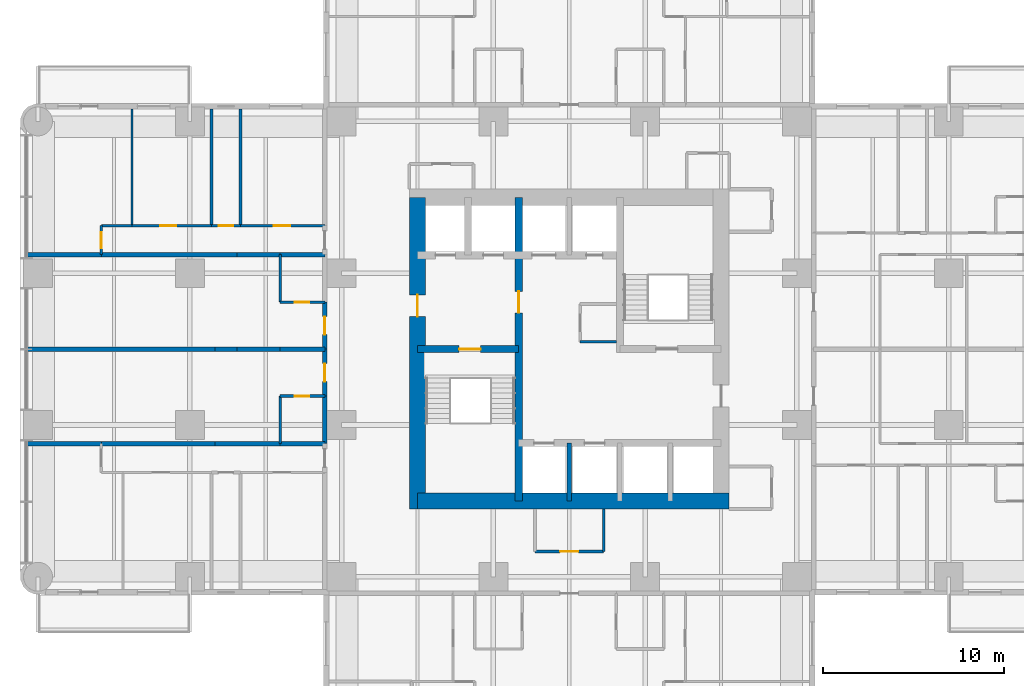
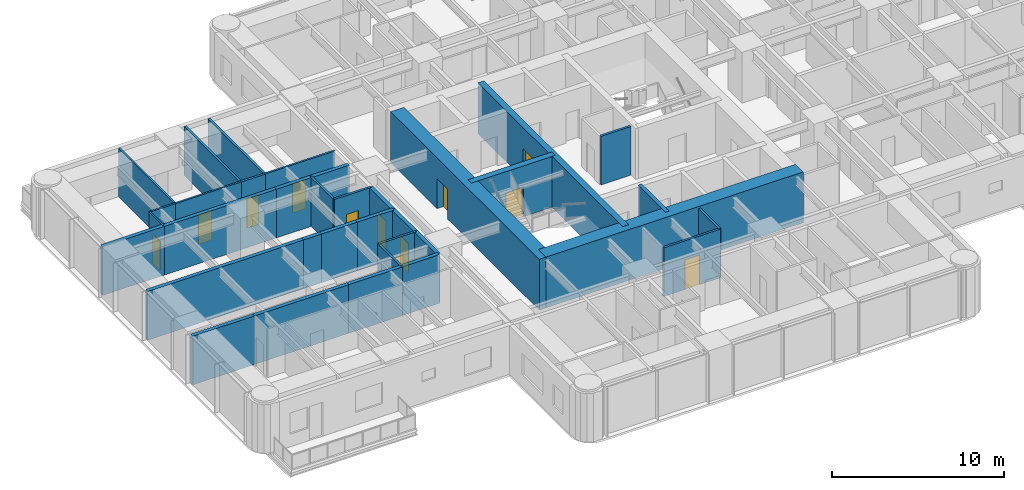
# One storey, part 7 of 14: 35 walls, 12 doors, 12 openings.
"""IFC4 building model written with IfcOpenShell, lengths in metres."""

from ifc_helpers import new_model, si_unit, direction, frame, frame_2d, origin, place, context, subcontext, project, spatial, rectangle, extrude, material, layer, layer_set, type_object, element, fill, save


model = new_model("IFC4")

# Units and contexts
model_context = context("Model", 3, precision=1e-05, world=origin(), true_north=direction((0.0, 1.0)))
body_context = subcontext(model_context, "Body", "Model", "MODEL_VIEW")
ifc_project = project(units=[si_unit("LENGTHUNIT", "METRE"), si_unit("AREAUNIT", "SQUARE_METRE"), si_unit("VOLUMEUNIT", "CUBIC_METRE"), si_unit("PLANEANGLEUNIT", "RADIAN"), si_unit("MASSUNIT", "GRAM", prefix="KILO")], contexts=[model_context])

# Site, building, storey
site_placement = place(None, origin())
site = spatial("IfcSite", under=ifc_project, at=site_placement, CompositionType="ELEMENT")
building_placement = place(site_placement, origin())
building = spatial("IfcBuilding", under=site, at=building_placement, Name="Torre Alcanfor", CompositionType="ELEMENT")
storey_placement = place(building_placement, frame((0.0, 0.0, 137.699951171875)))
storey = spatial("IfcBuildingStorey", under=building, at=storey_placement, Name="L35", CompositionType="ELEMENT", Elevation=137.699951171875)

# Wall, opening, door
ifc_material_1 = material(Name="Concrete block masonry, hollow blocks NMX-C-404 9 MPa", Category="masonry")
ifc_layer_1 = layer(ifc_material_1, 0.25)
ifc_layer_set_1 = layer_set([ifc_layer_1], Name="Apartment entrance wall 250 EI 60")
wall_type_1 = type_object("IfcWallType", Name="Apartment entrance wall 250 EI 60", PredefinedType="PARTITIONING", material=ifc_layer_set_1)
wall_1_placement = place(storey_placement, frame((15.875, 26.800048828125, 0.0), z_axis=(0.0, 0.0, 1.0), x_axis=(0.0, 1.0, 0.0)))
wall_1 = element("IfcWall", 1, at=wall_1_placement, inside=storey, type_object=wall_type_1, Name="Partition L35-CORR / L35-W1A-FOYER", PredefinedType="PARTITIONING", context=body_context, shape_type="SweptSolid", body=[
    extrude(rectangle(XDim=2.599853515625, YDim=0.25, at=frame_2d((1.2998046875, 0.0))), origin(), (0.0, 0.0, 1.0), 3.449951171875),
])
opening_1_placement = place(wall_1_placement, frame((0.800048828125, 0.0, 0.0)))
opening_1 = element("IfcOpeningElement", 2, at=opening_1_placement, cuts=wall_1, Name="Opening D-A1", PredefinedType="OPENING", context=body_context, shape_type="SweptSolid", body=[
    extrude(rectangle(XDim=1.0, YDim=2.10009765625, at=frame_2d((0.5, 1.050048828125))), frame((0.0, 0.135009765625, 0.0), z_axis=(0.0, -1.0, 0.0), x_axis=(1.0, 0.0, 0.0)), (0.0, 0.0, 1.0), 0.27001953125),
])
ifc_material_2 = material(Name="Galvanised steel sheet ASTM A653", Category="steel")
door_type_1 = type_object("IfcDoorType", Name="Apartment entrance door FD60 1000x2100", OperationType="SINGLE_SWING_LEFT", PredefinedType="DOOR", material=ifc_material_2)
door_1_placement = place(opening_1_placement, origin())
door_1 = element("IfcDoor", 3, at=door_1_placement, inside=storey, type_object=door_type_1, Name="Apartment entrance L35-W1A", OperationType="SINGLE_SWING_LEFT", OverallHeight=2.10009765625, OverallWidth=1.0, PredefinedType="DOOR", context=body_context, shape_type="SweptSolid", body=[
    extrude(rectangle(XDim=1.0, YDim=2.10009765625, at=frame_2d((0.5, 1.050048828125))), frame((0.0, 0.02490234375, 0.0), z_axis=(0.0, -1.0, 0.0), x_axis=(1.0, 0.0, 0.0)), (0.0, 0.0, 1.0), 0.050048828125),
])
fill(opening_1, door_1)

# Wall
wall_2_placement = place(storey_placement, frame((15.875, 24.1708984375, 0.0), z_axis=(0.0, 0.0, 1.0), x_axis=(0.0, 1.0, 0.0)))
element("IfcWall", 4, at=wall_2_placement, inside=storey, type_object=wall_type_1, Name="Partition L35-CORR / L35-W1A-BATH", PredefinedType="PARTITIONING", context=body_context, shape_type="SweptSolid", body=[
    extrude(rectangle(XDim=2.629150390625, YDim=0.25, at=frame_2d((1.314453125, 0.0))), origin(), (0.0, 0.0, 1.0), 3.449951171875),
])

# Wall, opening, door
wall_3_placement = place(storey_placement, frame((15.875, 29.39990234375, 0.0), z_axis=(0.0, 0.0, 1.0), x_axis=(0.0, 1.0, 0.0)))
wall_3 = element("IfcWall", 5, at=wall_3_placement, inside=storey, type_object=wall_type_1, Name="Partition L35-CORR / L35-W2A-FOYER", PredefinedType="PARTITIONING", context=body_context, shape_type="SweptSolid", body=[
    extrude(rectangle(XDim=2.60009765625, YDim=0.25, at=frame_2d((1.300048828125, 0.0))), origin(), (0.0, 0.0, 1.0), 3.449951171875),
])
opening_2_placement = place(wall_3_placement, frame((0.800048828125, 0.0, 0.0)))
opening_2 = element("IfcOpeningElement", 6, at=opening_2_placement, cuts=wall_3, Name="Opening D-A1", PredefinedType="OPENING", context=body_context, shape_type="SweptSolid", body=[
    extrude(rectangle(XDim=1.0, YDim=2.10009765625, at=frame_2d((0.5, 1.050048828125))), frame((0.0, 0.135009765625, 0.0), z_axis=(0.0, -1.0, 0.0), x_axis=(1.0, 0.0, 0.0)), (0.0, 0.0, 1.0), 0.27001953125),
])
door_2_placement = place(opening_2_placement, origin())
door_2 = element("IfcDoor", 7, at=door_2_placement, inside=storey, type_object=door_type_1, Name="Apartment entrance L35-W2A", OperationType="SINGLE_SWING_LEFT", OverallHeight=2.10009765625, OverallWidth=1.0, PredefinedType="DOOR", context=body_context, shape_type="SweptSolid", body=[
    extrude(rectangle(XDim=1.0, YDim=2.10009765625, at=frame_2d((0.5, 1.050048828125))), frame((0.0, 0.02490234375, 0.0), z_axis=(0.0, -1.0, 0.0), x_axis=(1.0, 0.0, 0.0)), (0.0, 0.0, 1.0), 0.050048828125),
])
fill(opening_2, door_2)

ifc_material_3 = material(Name="Gypsum board on steel studs", Category="steel")
ifc_layer_2 = layer(ifc_material_3, 0.1201171875)
ifc_layer_set_2 = layer_set([ifc_layer_2], Name="Apartment partition 120")
wall_type_2 = type_object("IfcWallType", Name="Apartment partition 120", PredefinedType="PARTITIONING", material=ifc_layer_set_2)
wall_4_placement = place(storey_placement, frame((11.199951171875, 36.22900390625, 0.0), z_axis=(0.0, 0.0, 1.0), x_axis=(1.0, 0.0, 0.0)))
wall_4 = element("IfcWall", 8, at=wall_4_placement, inside=storey, type_object=wall_type_2, Name="Partition L35-W2B-HALL / L35-W2B-MASTER", PredefinedType="PARTITIONING", context=body_context, shape_type="SweptSolid", body=[
    extrude(rectangle(XDim=4.675048828125, YDim=0.1201171875, at=frame_2d((2.33740234375, 0.0))), origin(), (0.0, 0.0, 1.0), 3.449951171875),
])
opening_3_placement = place(wall_4_placement, frame((1.85009765625, 0.0, 0.0)))
opening_3 = element("IfcOpeningElement", 9, at=opening_3_placement, cuts=wall_4, Name="Opening D-R1", PredefinedType="OPENING", context=body_context, shape_type="SweptSolid", body=[
    extrude(rectangle(XDim=0.89990234375, YDim=2.10009765625, at=frame_2d((0.449951171875, 1.050048828125))), frame((0.0, 0.070068359375, 0.0), z_axis=(0.0, -1.0, 0.0), x_axis=(1.0, 0.0, 0.0)), (0.0, 0.0, 1.0), 0.14013671875),
])
ifc_material_4 = material(Name="Timber", Category="wood")
door_type_2 = type_object("IfcDoorType", Name="Internal door 900x2100", OperationType="SINGLE_SWING_LEFT", PredefinedType="DOOR", material=ifc_material_4)
door_3_placement = place(opening_3_placement, origin())
door_3 = element("IfcDoor", 10, at=door_3_placement, inside=storey, type_object=door_type_2, Name="Door L35-W2B master", OperationType="SINGLE_SWING_LEFT", OverallHeight=2.10009765625, OverallWidth=0.89990234375, PredefinedType="DOOR", context=body_context, shape_type="SweptSolid", body=[
    extrude(rectangle(XDim=0.89990234375, YDim=2.10009765625, at=frame_2d((0.449951171875, 1.050048828125))), frame((0.0, 0.02490234375, 0.0), z_axis=(0.0, -1.0, 0.0), x_axis=(1.0, 0.0, 0.0)), (0.0, 0.0, 1.0), 0.050048828125),
])
fill(opening_3, door_3)

wall_5_placement = place(storey_placement, frame((5.199951171875, 36.22900390625, 0.0), z_axis=(0.0, 0.0, 1.0), x_axis=(1.0, 0.0, 0.0)))
wall_5 = element("IfcWall", 11, at=wall_5_placement, inside=storey, type_object=wall_type_2, Name="Partition L35-W2B-HALL / L35-W2B-STUDY", PredefinedType="PARTITIONING", context=body_context, shape_type="SweptSolid", body=[
    extrude(rectangle(XDim=4.400146484375, YDim=0.1201171875, at=frame_2d((2.2001953125, 0.0))), origin(), (0.0, 0.0, 1.0), 3.449951171875),
])
opening_4_placement = place(wall_5_placement, frame((1.550048828125, 0.0, 0.0)))
opening_4 = element("IfcOpeningElement", 12, at=opening_4_placement, cuts=wall_5, Name="Opening D-R1", PredefinedType="OPENING", context=body_context, shape_type="SweptSolid", body=[
    extrude(rectangle(XDim=0.89990234375, YDim=2.10009765625, at=frame_2d((0.449951171875, 1.050048828125))), frame((0.0, 0.070068359375, 0.0), z_axis=(0.0, -1.0, 0.0), x_axis=(1.0, 0.0, 0.0)), (0.0, 0.0, 1.0), 0.14013671875),
])
door_4_placement = place(opening_4_placement, origin())
door_4 = element("IfcDoor", 13, at=door_4_placement, inside=storey, type_object=door_type_2, Name="Door L35-W2B study", OperationType="SINGLE_SWING_LEFT", OverallHeight=2.10009765625, OverallWidth=0.89990234375, PredefinedType="DOOR", context=body_context, shape_type="SweptSolid", body=[
    extrude(rectangle(XDim=0.89990234375, YDim=2.10009765625, at=frame_2d((0.449951171875, 1.050048828125))), frame((0.0, 0.02490234375, 0.0), z_axis=(0.0, -1.0, 0.0), x_axis=(1.0, 0.0, 0.0)), (0.0, 0.0, 1.0), 0.050048828125),
])
fill(opening_4, door_4)

# Wall
wall_6_placement = place(storey_placement, frame((3.5, 36.22900390625, 0.0), z_axis=(0.0, 0.0, 1.0), x_axis=(1.0, 0.0, 0.0)))
element("IfcWall", 14, at=wall_6_placement, inside=storey, type_object=wall_type_2, Name="Partition L35-W2B-HALL / L35-W2B-KITCHEN", PredefinedType="PARTITIONING", context=body_context, shape_type="SweptSolid", body=[
    extrude(rectangle(XDim=1.699951171875, YDim=0.1201171875, at=frame_2d((0.85009765625, 0.0))), origin(), (0.0, 0.0, 1.0), 3.449951171875),
])

# Wall, opening, door
wall_7_placement = place(storey_placement, frame((3.5, 34.62890625, 0.0), z_axis=(0.0, 0.0, 1.0), x_axis=(0.0, 1.0, 0.0)))
wall_7 = element("IfcWall", 15, at=wall_7_placement, inside=storey, type_object=wall_type_2, Name="Partition L35-W2B-HALL / L35-W2B-LIVING", PredefinedType="PARTITIONING", context=body_context, shape_type="SweptSolid", body=[
    extrude(rectangle(XDim=1.60009765625, YDim=0.1201171875, at=frame_2d((0.800048828125, 0.0))), origin(), (0.0, 0.0, 1.0), 3.449951171875),
])
opening_5_placement = place(wall_7_placement, frame((0.35009765625, 0.0, 0.0)))
opening_5 = element("IfcOpeningElement", 16, at=opening_5_placement, cuts=wall_7, Name="Opening D-R1", PredefinedType="OPENING", context=body_context, shape_type="SweptSolid", body=[
    extrude(rectangle(XDim=0.89990234375, YDim=2.10009765625, at=frame_2d((0.449951171875, 1.050048828125))), frame((0.0, 0.070068359375, 0.0), z_axis=(0.0, -1.0, 0.0), x_axis=(1.0, 0.0, 0.0)), (0.0, 0.0, 1.0), 0.14013671875),
])
door_5_placement = place(opening_5_placement, origin())
door_5 = element("IfcDoor", 17, at=door_5_placement, inside=storey, type_object=door_type_2, Name="Door L35-W2B living", OperationType="SINGLE_SWING_LEFT", OverallHeight=2.10009765625, OverallWidth=0.89990234375, PredefinedType="DOOR", context=body_context, shape_type="SweptSolid", body=[
    extrude(rectangle(XDim=0.89990234375, YDim=2.10009765625, at=frame_2d((0.449951171875, 1.050048828125))), frame((0.0, 0.02490234375, 0.0), z_axis=(0.0, -1.0, 0.0), x_axis=(1.0, 0.0, 0.0)), (0.0, 0.0, 1.0), 0.050048828125),
])
fill(opening_5, door_5)

# Wall
wall_8_placement = place(storey_placement, frame((5.199951171875, 36.22900390625, 0.0), z_axis=(0.0, 0.0, 1.0), x_axis=(0.0, 1.0, 0.0)))
element("IfcWall", 18, at=wall_8_placement, inside=storey, type_object=wall_type_2, Name="Partition L35-W2B-STUDY / L35-W2B-KITCHEN", PredefinedType="PARTITIONING", context=body_context, shape_type="SweptSolid", body=[
    extrude(rectangle(XDim=6.470947265625, YDim=0.1201171875, at=frame_2d((3.2353515625, 0.0))), origin(), (0.0, 0.0, 1.0), 3.449951171875),
])

# Wall, opening, door
ifc_material_5 = material(Name="Concrete f'c 70 MPa", Category="concrete")
ifc_layer_3 = layer(ifc_material_5, 0.39990234375)
ifc_layer_set_3 = layer_set([ifc_layer_3], Name="Core inner wall 400 f'c70")
wall_type_3 = type_object("IfcWallType", Name="Core inner wall 400 f'c70", PredefinedType="SHEAR", material=ifc_layer_set_3)
wall_9_placement = place(storey_placement, frame((26.60009765625, 21.0, 0.0), z_axis=(0.0, 0.0, 1.0), x_axis=(0.0, 1.0, 0.0)))
wall_9 = element("IfcWall", 19, at=wall_9_placement, inside=storey, type_object=wall_type_3, Name="Core wall X266 L35", PredefinedType="SHEAR", context=body_context, shape_type="SweptSolid", body=[
    extrude(rectangle(XDim=16.800048828125, YDim=0.39990234375, at=frame_2d((8.39990234375, 0.0))), origin(), (0.0, 0.0, 1.0), 3.60009765625),
])
opening_6_placement = place(wall_9_placement, frame((10.39990234375, 0.0, 0.0)))
opening_6 = element("IfcOpeningElement", 20, at=opening_6_placement, cuts=wall_9, Name="Opening D-L1", PredefinedType="OPENING", context=body_context, shape_type="SweptSolid", body=[
    extrude(rectangle(XDim=1.199951171875, YDim=2.10009765625, at=frame_2d((0.60009765625, 1.050048828125))), frame((0.0, 0.2099609375, 0.0), z_axis=(0.0, -1.0, 0.0), x_axis=(1.0, 0.0, 0.0)), (0.0, 0.0, 1.0), 0.419921875),
])
ifc_material_6 = material(Name="Galvanised steel sheet ASTM A653", Category="steel")
door_type_3 = type_object("IfcDoorType", Name="Lobby door FD120 1200x2100", OperationType="SINGLE_SWING_LEFT", PredefinedType="DOOR", material=ifc_material_6)
door_6_placement = place(opening_6_placement, origin())
door_6 = element("IfcDoor", 21, at=door_6_placement, inside=storey, type_object=door_type_3, Name="Lift lobby door L35", OperationType="SINGLE_SWING_LEFT", OverallHeight=2.10009765625, OverallWidth=1.199951171875, PredefinedType="DOOR", context=body_context, shape_type="SweptSolid", body=[
    extrude(rectangle(XDim=1.199951171875, YDim=2.10009765625, at=frame_2d((0.60009765625, 1.050048828125))), frame((0.0, 0.02490234375, 0.0), z_axis=(0.0, -1.0, 0.0), x_axis=(1.0, 0.0, 0.0)), (0.0, 0.0, 1.0), 0.050048828125),
])
fill(opening_6, door_6)

wall_10_placement = place(storey_placement, frame((21.0, 29.39990234375, 0.0), z_axis=(0.0, 0.0, 1.0), x_axis=(1.0, 0.0, 0.0)))
wall_10 = element("IfcWall", 22, at=wall_10_placement, inside=storey, type_object=wall_type_3, Name="Core wall Y294W L35", PredefinedType="SHEAR", context=body_context, shape_type="SweptSolid", body=[
    extrude(rectangle(XDim=5.60009765625, YDim=0.39990234375, at=frame_2d((2.800048828125, 0.0))), origin(), (0.0, 0.0, 1.0), 3.60009765625),
])
opening_7_placement = place(wall_10_placement, frame((2.300048828125, 0.0, 0.0)))
opening_7 = element("IfcOpeningElement", 23, at=opening_7_placement, cuts=wall_10, Name="Opening D-S2", PredefinedType="OPENING", context=body_context, shape_type="SweptSolid", body=[
    extrude(rectangle(XDim=1.199951171875, YDim=2.10009765625, at=frame_2d((0.60009765625, 1.050048828125))), frame((0.0, 0.2099609375, 0.0), z_axis=(0.0, -1.0, 0.0), x_axis=(1.0, 0.0, 0.0)), (0.0, 0.0, 1.0), 0.419921875),
])
ifc_material_7 = material(Name="Galvanised steel sheet ASTM A653", Category="steel")
door_type_4 = type_object("IfcDoorType", Name="Stair enclosure door FD120 1200x2100", OperationType="SINGLE_SWING_LEFT", PredefinedType="DOOR", material=ifc_material_7)
door_7_placement = place(opening_7_placement, frame((1.199951171875, 0.0, 0.0), z_axis=(0.0, 0.0, 1.0), x_axis=(-1.0, 0.0, 0.0)))
door_7 = element("IfcDoor", 24, at=door_7_placement, inside=storey, type_object=door_type_4, Name="Stair S1 door L35", OperationType="SINGLE_SWING_LEFT", OverallHeight=2.10009765625, OverallWidth=1.199951171875, PredefinedType="DOOR", context=body_context, shape_type="SweptSolid", body=[
    extrude(rectangle(XDim=1.199951171875, YDim=2.10009765625, at=frame_2d((0.599853515625, 1.050048828125))), frame((0.0, 0.025146484375, 0.0), z_axis=(0.0, -1.0, 0.0), x_axis=(1.0, 0.0, 0.0)), (0.0, 0.0, 1.0), 0.050048828125),
])
fill(opening_7, door_7)

# Walls
ifc_material_8 = material(Name="Concrete f'c 70 MPa", Category="concrete")
ifc_layer_4 = layer(ifc_material_8, 0.25)
ifc_layer_set_4 = layer_set([ifc_layer_4], Name="Core shaft wall 250 f'c70")
wall_type_4 = type_object("IfcWallType", Name="Core shaft wall 250 f'c70", PredefinedType="SHEAR", material=ifc_layer_set_4)
wall_11_placement = place(storey_placement, frame((29.39990234375, 21.0, 0.0), z_axis=(0.0, 0.0, 1.0), x_axis=(0.0, 1.0, 0.0)))
element("IfcWall", 25, at=wall_11_placement, inside=storey, type_object=wall_type_4, Name="Core wall X294S L35", PredefinedType="SHEAR", context=body_context, shape_type="SweptSolid", body=[
    extrude(rectangle(XDim=3.199951171875, YDim=0.25, at=frame_2d((1.60009765625, 0.0))), origin(), (0.0, 0.0, 1.0), 3.60009765625),
])
ifc_material_9 = material(Name="Concrete f'c 70 MPa", Category="concrete")
ifc_layer_5 = layer(ifc_material_9, 0.89990234375)
ifc_layer_set_5 = layer_set([ifc_layer_5], Name="Core wall 900 f'c70")
wall_type_5 = type_object("IfcWallType", Name="Core wall 900 f'c70", PredefinedType="SHEAR", material=ifc_layer_set_5)
wall_12_placement = place(storey_placement, frame((21.0, 21.0, 0.0), z_axis=(0.0, 0.0, 1.0), x_axis=(1.0, 0.0, 0.0)))
element("IfcWall", 26, at=wall_12_placement, inside=storey, type_object=wall_type_5, Name="Core wall OUT-S L35", PredefinedType="SHEAR", context=body_context, shape_type="SweptSolid", body=[
    extrude(rectangle(XDim=17.25, YDim=0.89990234375, at=frame_2d((8.625, 0.0))), origin(), (0.0, 0.0, 1.0), 3.60009765625),
])

# Wall, opening, door
wall_13_placement = place(storey_placement, frame((21.0, 37.800048828125, 0.0), z_axis=(0.0, 0.0, 1.0), x_axis=(0.0, -1.0, 0.0)))
wall_13 = element("IfcWall", 27, at=wall_13_placement, inside=storey, type_object=wall_type_5, Name="Core wall OUT-W L35", PredefinedType="SHEAR", context=body_context, shape_type="SweptSolid", body=[
    extrude(rectangle(XDim=17.25, YDim=0.89990234375, at=frame_2d((8.625, 0.0))), origin(), (0.0, 0.0, 1.0), 3.60009765625),
])
opening_8_placement = place(wall_13_placement, frame((5.39990234375, 0.0, 0.0)))
opening_8 = element("IfcOpeningElement", 28, at=opening_8_placement, cuts=wall_13, Name="Opening D-L1", PredefinedType="OPENING", context=body_context, shape_type="SweptSolid", body=[
    extrude(rectangle(XDim=1.199951171875, YDim=2.10009765625, at=frame_2d((0.60009765625, 1.050048828125))), frame((0.0, 0.4599609375, 0.0), z_axis=(0.0, -1.0, 0.0), x_axis=(1.0, 0.0, 0.0)), (0.0, 0.0, 1.0), 0.919921875),
])
door_8_placement = place(opening_8_placement, origin())
door_8 = element("IfcDoor", 29, at=door_8_placement, inside=storey, type_object=door_type_3, Name="Firefighting lobby door L35", OperationType="SINGLE_SWING_LEFT", OverallHeight=2.10009765625, OverallWidth=1.199951171875, PredefinedType="DOOR", context=body_context, shape_type="SweptSolid", body=[
    extrude(rectangle(XDim=1.199951171875, YDim=2.10009765625, at=frame_2d((0.60009765625, 1.050048828125))), frame((0.0, 0.02490234375, 0.0), z_axis=(0.0, -1.0, 0.0), x_axis=(1.0, 0.0, 0.0)), (0.0, 0.0, 1.0), 0.050048828125),
])
fill(opening_8, door_8)

# Walls
ifc_material_10 = material(Name="Concrete block masonry, hollow blocks NMX-C-404 9 MPa", Category="masonry")
ifc_layer_6 = layer(ifc_material_10, 0.25)
ifc_layer_set_6 = layer_set([ifc_layer_6], Name="Party wall 250 EI 60")
wall_type_6 = type_object("IfcWallType", Name="Party wall 250 EI 60", PredefinedType="PARTITIONING", material=ifc_layer_set_6)
for number, where, z_axis, x_axis, name in (
    (30, (15.875, 29.39990234375, 0.0), (0.0, 0.0, 1.0), (-1.0, 0.0, 0.0), "Partition L35-W1A-FOYER / L35-W2A-FOYER"),
    (31, (13.39990234375, 24.1708984375, 0.0), (0.0, 0.0, 1.0), (1.0, 0.0, 0.0), "Partition L35-W1A-BATH / L35-W1B-HALL"),
):
    element("IfcWall", number, at=place(storey_placement, frame(where, z_axis=z_axis, x_axis=x_axis)), inside=storey, type_object=wall_type_6, Name=name, PredefinedType="PARTITIONING", context=body_context, shape_type="SweptSolid", body=[
        extrude(rectangle(XDim=2.47509765625, YDim=0.25, at=frame_2d((1.237548828125, 0.0))), origin(), (0.0, 0.0, 1.0), 3.449951171875),
    ])
wall_14_placement = place(storey_placement, frame((9.800048828125, 24.1708984375, 0.0), z_axis=(0.0, 0.0, 1.0), x_axis=(1.0, 0.0, 0.0)))
element("IfcWall", 32, at=wall_14_placement, inside=storey, type_object=wall_type_6, Name="Partition L35-W1A-KITCHEN / L35-W1B-HALL", PredefinedType="PARTITIONING", context=body_context, shape_type="SweptSolid", body=[
    extrude(rectangle(XDim=3.599853515625, YDim=0.25, at=frame_2d((1.7998046875, 0.0))), origin(), (0.0, 0.0, 1.0), 3.449951171875),
])
wall_15_placement = place(storey_placement, frame((13.39990234375, 29.39990234375, 0.0), z_axis=(0.0, 0.0, 1.0), x_axis=(-1.0, 0.0, 0.0)))
element("IfcWall", 33, at=wall_15_placement, inside=storey, type_object=wall_type_6, Name="Partition L35-W1A-KITCHEN / L35-W2A-KITCHEN", PredefinedType="PARTITIONING", context=body_context, shape_type="SweptSolid", body=[
    extrude(rectangle(XDim=2.39990234375, YDim=0.25, at=frame_2d((1.199951171875, 0.0))), origin(), (0.0, 0.0, 1.0), 3.449951171875),
])
wall_16_placement = place(storey_placement, frame((11.0, 29.39990234375, 0.0), z_axis=(0.0, 0.0, 1.0), x_axis=(-1.0, 0.0, 0.0)))
element("IfcWall", 34, at=wall_16_placement, inside=storey, type_object=wall_type_6, Name="Partition L35-W1A-KITCHEN / L35-W2A-STUDIO", PredefinedType="PARTITIONING", context=body_context, shape_type="SweptSolid", body=[
    extrude(rectangle(XDim=1.199951171875, YDim=0.25, at=frame_2d((0.60009765625, 0.0))), origin(), (0.0, 0.0, 1.0), 3.449951171875),
])
wall_17_placement = place(storey_placement, frame((3.5, 24.1708984375, 0.0), z_axis=(0.0, 0.0, 1.0), x_axis=(1.0, 0.0, 0.0)))
element("IfcWall", 35, at=wall_17_placement, inside=storey, type_object=wall_type_6, Name="Partition L35-W1A-STUDIO / L35-W1B-HALL", PredefinedType="PARTITIONING", context=body_context, shape_type="SweptSolid", body=[
    extrude(rectangle(XDim=6.300048828125, YDim=0.25, at=frame_2d((3.14990234375, 0.0))), origin(), (0.0, 0.0, 1.0), 3.449951171875),
])
wall_18_placement = place(storey_placement, frame((-0.64990234375, 24.1708984375, 0.0), z_axis=(0.0, 0.0, 1.0), x_axis=(1.0, 0.0, 0.0)))
element("IfcWall", 36, at=wall_18_placement, inside=storey, type_object=wall_type_6, Name="Partition L35-W1A-STUDIO / L35-W1B-LIVING", PredefinedType="PARTITIONING", context=body_context, shape_type="SweptSolid", body=[
    extrude(rectangle(XDim=4.14990234375, YDim=0.25, at=frame_2d((2.074951171875, 0.0))), origin(), (0.0, 0.0, 1.0), 3.449951171875),
])
wall_19_placement = place(storey_placement, frame((9.800048828125, 29.39990234375, 0.0), z_axis=(0.0, 0.0, 1.0), x_axis=(-1.0, 0.0, 0.0)))
element("IfcWall", 37, at=wall_19_placement, inside=storey, type_object=wall_type_6, Name="Partition L35-W1A-STUDIO / L35-W2A-STUDIO", PredefinedType="PARTITIONING", context=body_context, shape_type="SweptSolid", body=[
    extrude(rectangle(XDim=10.449951171875, YDim=0.25, at=frame_2d((5.22509765625, 0.0))), origin(), (0.0, 0.0, 1.0), 3.449951171875),
])
wall_20_placement = place(storey_placement, frame((13.39990234375, 34.62890625, 0.0), z_axis=(0.0, 0.0, 1.0), x_axis=(1.0, 0.0, 0.0)))
element("IfcWall", 38, at=wall_20_placement, inside=storey, type_object=wall_type_6, Name="Partition L35-W2A-BATH / L35-W2B-HALL", PredefinedType="PARTITIONING", context=body_context, shape_type="SweptSolid", body=[
    extrude(rectangle(XDim=2.47509765625, YDim=0.25, at=frame_2d((1.237548828125, 0.0))), origin(), (0.0, 0.0, 1.0), 3.449951171875),
])
wall_21_placement = place(storey_placement, frame((11.0, 34.62890625, 0.0), z_axis=(0.0, 0.0, 1.0), x_axis=(1.0, 0.0, 0.0)))
element("IfcWall", 39, at=wall_21_placement, inside=storey, type_object=wall_type_6, Name="Partition L35-W2A-KITCHEN / L35-W2B-HALL", PredefinedType="PARTITIONING", context=body_context, shape_type="SweptSolid", body=[
    extrude(rectangle(XDim=2.39990234375, YDim=0.25, at=frame_2d((1.199951171875, 0.0))), origin(), (0.0, 0.0, 1.0), 3.449951171875),
])
wall_22_placement = place(storey_placement, frame((3.5, 34.62890625, 0.0), z_axis=(0.0, 0.0, 1.0), x_axis=(1.0, 0.0, 0.0)))
element("IfcWall", 40, at=wall_22_placement, inside=storey, type_object=wall_type_6, Name="Partition L35-W2A-STUDIO / L35-W2B-HALL", PredefinedType="PARTITIONING", context=body_context, shape_type="SweptSolid", body=[
    extrude(rectangle(XDim=7.5, YDim=0.25, at=frame_2d((3.75, 0.0))), origin(), (0.0, 0.0, 1.0), 3.449951171875),
])
wall_23_placement = place(storey_placement, frame((-0.64990234375, 34.62890625, 0.0), z_axis=(0.0, 0.0, 1.0), x_axis=(1.0, 0.0, 0.0)))
element("IfcWall", 41, at=wall_23_placement, inside=storey, type_object=wall_type_6, Name="Partition L35-W2A-STUDIO / L35-W2B-LIVING", PredefinedType="PARTITIONING", context=body_context, shape_type="SweptSolid", body=[
    extrude(rectangle(XDim=4.14990234375, YDim=0.25, at=frame_2d((2.074951171875, 0.0))), origin(), (0.0, 0.0, 1.0), 3.449951171875),
])

# Wall, opening, door
ifc_material_11 = material(Name="Concrete block masonry, hollow blocks NMX-C-404 9 MPa", Category="masonry")
ifc_layer_7 = layer(ifc_material_11, 0.14990234375)
ifc_layer_set_7 = layer_set([ifc_layer_7], Name="Residents' room partition 150")
wall_type_7 = type_object("IfcWallType", Name="Residents' room partition 150", PredefinedType="PARTITIONING", material=ifc_layer_set_7)
wall_24_placement = place(storey_placement, frame((27.5, 18.199951171875, 0.0), z_axis=(0.0, 0.0, 1.0), x_axis=(1.0, 0.0, 0.0)))
wall_24 = element("IfcWall", 42, at=wall_24_placement, inside=storey, type_object=wall_type_7, Name="Partition L35-CORR / L35-G05", PredefinedType="PARTITIONING", context=body_context, shape_type="SweptSolid", body=[
    extrude(rectangle(XDim=3.800048828125, YDim=0.14990234375, at=frame_2d((1.89990234375, 0.0))), origin(), (0.0, 0.0, 1.0), 3.449951171875),
])
opening_9_placement = place(wall_24_placement, frame((1.39990234375, 0.0, 0.0)))
opening_9 = element("IfcOpeningElement", 43, at=opening_9_placement, cuts=wall_24, Name="Opening D-M1", PredefinedType="OPENING", context=body_context, shape_type="SweptSolid", body=[
    extrude(rectangle(XDim=1.0, YDim=2.10009765625, at=frame_2d((0.5, 1.050048828125))), frame((0.0, 0.0849609375, 0.0), z_axis=(0.0, -1.0, 0.0), x_axis=(1.0, 0.0, 0.0)), (0.0, 0.0, 1.0), 0.169921875),
])
ifc_material_12 = material(Name="Timber", Category="wood")
door_type_5 = type_object("IfcDoorType", Name="Residents' room door 1000x2100", OperationType="SINGLE_SWING_LEFT", PredefinedType="DOOR", material=ifc_material_12)
door_9_placement = place(opening_9_placement, origin())
door_9 = element("IfcDoor", 44, at=door_9_placement, inside=storey, type_object=door_type_5, Name="Door L35-G05 cleaners' store", OperationType="SINGLE_SWING_LEFT", OverallHeight=2.10009765625, OverallWidth=1.0, PredefinedType="DOOR", context=body_context, shape_type="SweptSolid", body=[
    extrude(rectangle(XDim=1.0, YDim=2.10009765625, at=frame_2d((0.5, 1.050048828125))), frame((0.0, 0.02490234375, 0.0), z_axis=(0.0, -1.0, 0.0), x_axis=(1.0, 0.0, 0.0)), (0.0, 0.0, 1.0), 0.050048828125),
])
fill(opening_9, door_9)

# Wall
wall_25_placement = place(storey_placement, frame((31.300048828125, 18.199951171875, 0.0), z_axis=(0.0, 0.0, 1.0), x_axis=(0.0, 1.0, 0.0)))
element("IfcWall", 45, at=wall_25_placement, inside=storey, type_object=wall_type_7, Name="Partition L35-CORR / L35-G05", PredefinedType="PARTITIONING", context=body_context, shape_type="SweptSolid", body=[
    extrude(rectangle(XDim=2.35009765625, YDim=0.14990234375, at=frame_2d((1.175048828125, 0.0))), origin(), (0.0, 0.0, 1.0), 3.449951171875),
])

# Wall, opening, door
ifc_material_13 = material(Name="Cement board on steel studs", Category="steel")
ifc_layer_8 = layer(ifc_material_13, 0.14990234375)
ifc_layer_set_8 = layer_set([ifc_layer_8], Name="Wet area partition 150")
wall_type_8 = type_object("IfcWallType", Name="Wet area partition 150", PredefinedType="PARTITIONING", material=ifc_layer_set_8)
wall_26_placement = place(storey_placement, frame((13.39990234375, 26.800048828125, 0.0), z_axis=(0.0, 0.0, 1.0), x_axis=(1.0, 0.0, 0.0)))
wall_26 = element("IfcWall", 46, at=wall_26_placement, inside=storey, type_object=wall_type_8, Name="Partition L35-W1A-FOYER / L35-W1A-BATH", PredefinedType="PARTITIONING", context=body_context, shape_type="SweptSolid", body=[
    extrude(rectangle(XDim=2.47509765625, YDim=0.14990234375, at=frame_2d((1.237548828125, 0.0))), origin(), (0.0, 0.0, 1.0), 3.449951171875),
])
opening_10_placement = place(wall_26_placement, frame((0.800048828125, 0.0, 0.0)))
opening_10 = element("IfcOpeningElement", 47, at=opening_10_placement, cuts=wall_26, Name="Opening D-R2", PredefinedType="OPENING", context=body_context, shape_type="SweptSolid", body=[
    extrude(rectangle(XDim=0.800048828125, YDim=2.10009765625, at=frame_2d((0.39990234375, 1.050048828125))), frame((0.0, 0.0849609375, 0.0), z_axis=(0.0, -1.0, 0.0), x_axis=(1.0, 0.0, 0.0)), (0.0, 0.0, 1.0), 0.169921875),
])
ifc_material_14 = material(Name="Timber", Category="wood")
door_type_6 = type_object("IfcDoorType", Name="Bathroom door 800x2100", OperationType="SINGLE_SWING_LEFT", PredefinedType="DOOR", material=ifc_material_14)
door_10_placement = place(opening_10_placement, frame((0.800048828125, 0.0, 0.0), z_axis=(0.0, 0.0, 1.0), x_axis=(-1.0, 0.0, 0.0)))
door_10 = element("IfcDoor", 48, at=door_10_placement, inside=storey, type_object=door_type_6, Name="Door L35-W1A bath", OperationType="SINGLE_SWING_RIGHT", OverallHeight=2.10009765625, OverallWidth=0.800048828125, PredefinedType="DOOR", context=body_context, shape_type="SweptSolid", body=[
    extrude(rectangle(XDim=0.800048828125, YDim=2.10009765625, at=frame_2d((0.400146484375, 1.050048828125))), frame((0.0, 0.025146484375, 0.0), z_axis=(0.0, -1.0, 0.0), x_axis=(1.0, 0.0, 0.0)), (0.0, 0.0, 1.0), 0.050048828125),
])
fill(opening_10, door_10)

# Wall
wall_27_placement = place(storey_placement, frame((13.39990234375, 26.800048828125, 0.0), z_axis=(0.0, 0.0, 1.0), x_axis=(0.0, -1.0, 0.0)))
element("IfcWall", 49, at=wall_27_placement, inside=storey, type_object=wall_type_8, Name="Partition L35-W1A-BATH / L35-W1A-KITCHEN", PredefinedType="PARTITIONING", context=body_context, shape_type="SweptSolid", body=[
    extrude(rectangle(XDim=2.629150390625, YDim=0.14990234375, at=frame_2d((1.314453125, 0.0))), origin(), (0.0, 0.0, 1.0), 3.449951171875),
])

# Wall, opening, door
wall_28_placement = place(storey_placement, frame((13.39990234375, 32.0, 0.0), z_axis=(0.0, 0.0, 1.0), x_axis=(1.0, 0.0, 0.0)))
wall_28 = element("IfcWall", 50, at=wall_28_placement, inside=storey, type_object=wall_type_8, Name="Partition L35-W2A-FOYER / L35-W2A-BATH", PredefinedType="PARTITIONING", context=body_context, shape_type="SweptSolid", body=[
    extrude(rectangle(XDim=2.47509765625, YDim=0.14990234375, at=frame_2d((1.237548828125, 0.0))), origin(), (0.0, 0.0, 1.0), 3.449951171875),
])
opening_11_placement = place(wall_28_placement, frame((0.800048828125, 0.0, 0.0)))
opening_11 = element("IfcOpeningElement", 51, at=opening_11_placement, cuts=wall_28, Name="Opening D-R2", PredefinedType="OPENING", context=body_context, shape_type="SweptSolid", body=[
    extrude(rectangle(XDim=0.800048828125, YDim=2.10009765625, at=frame_2d((0.39990234375, 1.050048828125))), frame((0.0, 0.0849609375, 0.0), z_axis=(0.0, -1.0, 0.0), x_axis=(1.0, 0.0, 0.0)), (0.0, 0.0, 1.0), 0.169921875),
])
door_11_placement = place(opening_11_placement, origin())
door_11 = element("IfcDoor", 52, at=door_11_placement, inside=storey, type_object=door_type_6, Name="Door L35-W2A bath", OperationType="SINGLE_SWING_LEFT", OverallHeight=2.10009765625, OverallWidth=0.800048828125, PredefinedType="DOOR", context=body_context, shape_type="SweptSolid", body=[
    extrude(rectangle(XDim=0.800048828125, YDim=2.10009765625, at=frame_2d((0.39990234375, 1.050048828125))), frame((0.0, 0.02490234375, 0.0), z_axis=(0.0, -1.0, 0.0), x_axis=(1.0, 0.0, 0.0)), (0.0, 0.0, 1.0), 0.050048828125),
])
fill(opening_11, door_11)

# Wall
wall_29_placement = place(storey_placement, frame((13.39990234375, 32.0, 0.0), z_axis=(0.0, 0.0, 1.0), x_axis=(0.0, 1.0, 0.0)))
element("IfcWall", 53, at=wall_29_placement, inside=storey, type_object=wall_type_8, Name="Partition L35-W2A-BATH / L35-W2A-KITCHEN", PredefinedType="PARTITIONING", context=body_context, shape_type="SweptSolid", body=[
    extrude(rectangle(XDim=2.62890625, YDim=0.14990234375, at=frame_2d((1.314453125, 0.0))), origin(), (0.0, 0.0, 1.0), 3.449951171875),
])

# Wall, opening, door
wall_30_placement = place(storey_placement, frame((9.60009765625, 36.22900390625, 0.0), z_axis=(0.0, 0.0, 1.0), x_axis=(1.0, 0.0, 0.0)))
wall_30 = element("IfcWall", 54, at=wall_30_placement, inside=storey, type_object=wall_type_8, Name="Partition L35-W2B-HALL / L35-W2B-BATH", PredefinedType="PARTITIONING", context=body_context, shape_type="SweptSolid", body=[
    extrude(rectangle(XDim=1.599853515625, YDim=0.14990234375, at=frame_2d((0.7998046875, 0.0))), origin(), (0.0, 0.0, 1.0), 3.449951171875),
])
opening_12_placement = place(wall_30_placement, frame((0.39990234375, 0.0, 0.0)))
opening_12 = element("IfcOpeningElement", 55, at=opening_12_placement, cuts=wall_30, Name="Opening D-R2", PredefinedType="OPENING", context=body_context, shape_type="SweptSolid", body=[
    extrude(rectangle(XDim=0.800048828125, YDim=2.10009765625, at=frame_2d((0.39990234375, 1.050048828125))), frame((0.0, 0.0849609375, 0.0), z_axis=(0.0, -1.0, 0.0), x_axis=(1.0, 0.0, 0.0)), (0.0, 0.0, 1.0), 0.169921875),
])
door_12_placement = place(opening_12_placement, origin())
door_12 = element("IfcDoor", 56, at=door_12_placement, inside=storey, type_object=door_type_6, Name="Door L35-W2B bath", OperationType="SINGLE_SWING_LEFT", OverallHeight=2.10009765625, OverallWidth=0.800048828125, PredefinedType="DOOR", context=body_context, shape_type="SweptSolid", body=[
    extrude(rectangle(XDim=0.800048828125, YDim=2.10009765625, at=frame_2d((0.39990234375, 1.050048828125))), frame((0.0, 0.02490234375, 0.0), z_axis=(0.0, -1.0, 0.0), x_axis=(1.0, 0.0, 0.0)), (0.0, 0.0, 1.0), 0.050048828125),
])
fill(opening_12, door_12)

# Walls
for number, where, z_axis, x_axis, name in (
    (57, (11.199951171875, 36.22900390625, 0.0), (0.0, 0.0, 1.0), (0.0, 1.0, 0.0), "Partition L35-W2B-MASTER / L35-W2B-BATH"),
    (58, (9.60009765625, 36.22900390625, 0.0), (0.0, 0.0, 1.0), (0.0, 1.0, 0.0), "Partition L35-W2B-BATH / L35-W2B-STUDY"),
):
    element("IfcWall", number, at=place(storey_placement, frame(where, z_axis=z_axis, x_axis=x_axis)), inside=storey, type_object=wall_type_8, Name=name, PredefinedType="PARTITIONING", context=body_context, shape_type="SweptSolid", body=[
        extrude(rectangle(XDim=6.470947265625, YDim=0.14990234375, at=frame_2d((3.2353515625, 0.0))), origin(), (0.0, 0.0, 1.0), 3.449951171875),
    ])
wall_31_placement = place(storey_placement, frame((32.0, 29.800048828125, 0.0), z_axis=(0.0, 0.0, 1.0), x_axis=(-1.0, 0.0, 0.0)))
element("IfcWall", 59, at=wall_31_placement, inside=storey, type_object=wall_type_8, Name="Partition L35-LL / L35-CR1", PredefinedType="PARTITIONING", context=body_context, shape_type="SweptSolid", body=[
    extrude(rectangle(XDim=2.0, YDim=0.14990234375, at=frame_2d((1.0, 0.0))), origin(), (0.0, 0.0, 1.0), 3.449951171875),
])

save(model, "model.ifc")
